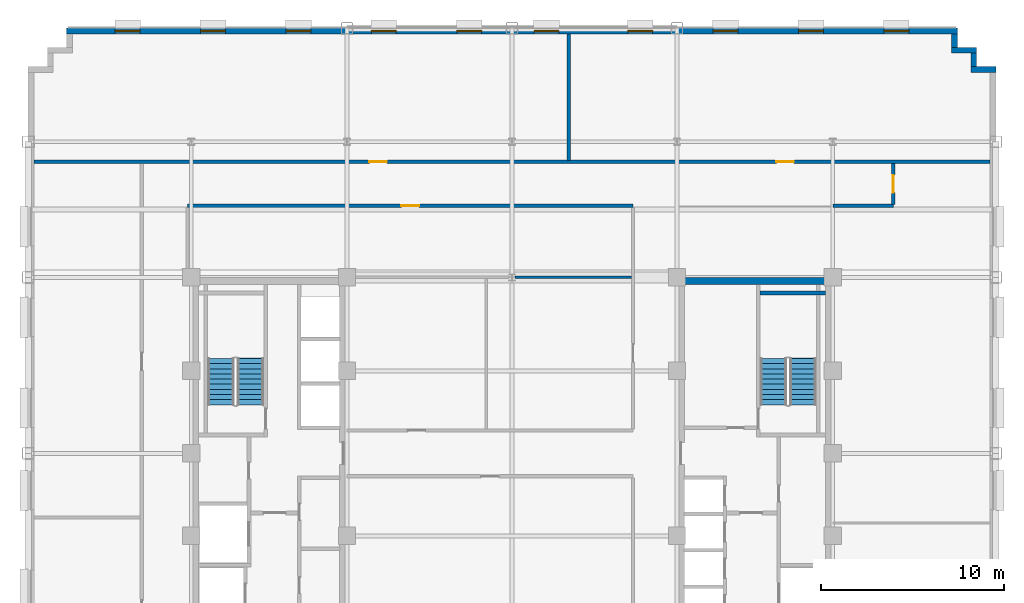
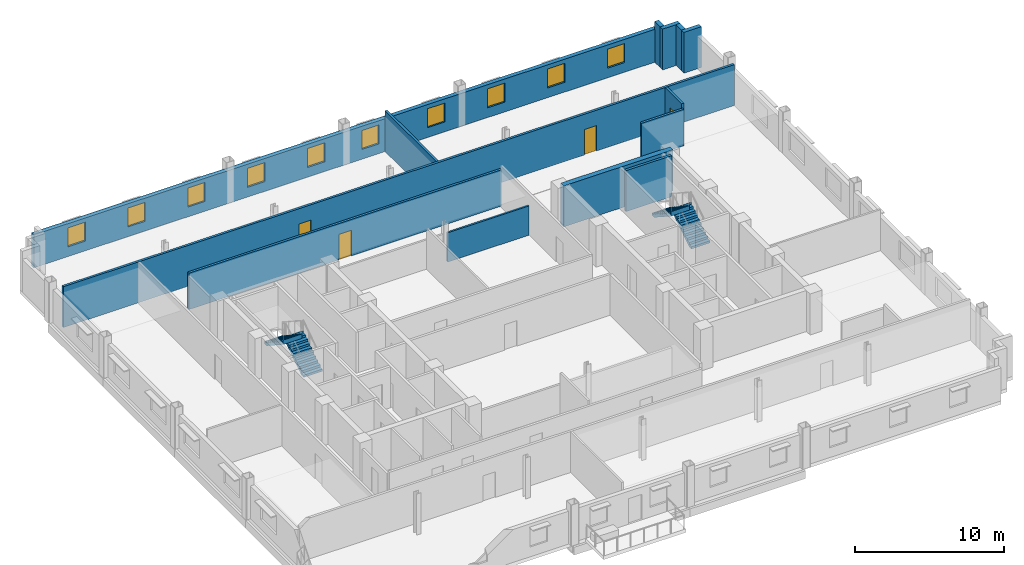
# One storey, part 9 of 14: 13 walls, 10 windows, 4 doors, 4 stair flights, 14 openings, 2 elements without a shape of their own.
"""IFC4 building model written with IfcOpenShell, lengths in metres."""

from ifc_helpers import new_model, si_unit, direction, frame, frame_2d, origin, place, context, subcontext, project, spatial, polyline, rectangle, outline, extrude, source, transform, mapped, material, layer, layer_set, type_object, type_shapes, element, fill, aggregate, save


model = new_model("IFC4")

# Units and contexts
model_context = context("Model", 3, precision=1e-05, world=origin(), true_north=direction((0.0, 1.0)))
body_context = subcontext(model_context, "Body", "Model", "MODEL_VIEW")
ifc_project = project(units=[si_unit("LENGTHUNIT", "METRE"), si_unit("AREAUNIT", "SQUARE_METRE"), si_unit("VOLUMEUNIT", "CUBIC_METRE"), si_unit("PLANEANGLEUNIT", "RADIAN"), si_unit("MASSUNIT", "GRAM", prefix="KILO")], contexts=[model_context])

# Site, building, storey
site_placement = place(None, origin())
site = spatial("IfcSite", under=ifc_project, at=site_placement, CompositionType="ELEMENT")
building_placement = place(site_placement, origin())
building = spatial("IfcBuilding", under=site, at=building_placement, Name="Nuvemarco Arch Tower", CompositionType="ELEMENT")
storey_placement = place(building_placement, frame((0.0, 0.0, 131.14990234375)))
storey = spatial("IfcBuildingStorey", under=building, at=storey_placement, Name="L34", CompositionType="ELEMENT", Elevation=131.14990234375)

# Walls
ifc_material_1 = material(Name="Precast concrete C45/55", Category="concrete")
ifc_layer_1 = layer(ifc_material_1, 0.320068359375, Name="EW-MID-320")
ifc_layer_set_1 = layer_set([ifc_layer_1], Name="Precast concrete C45/55")
wall_type_1 = type_object("IfcWallType", Name="EW-MID-320", PredefinedType="STANDARD", material=ifc_layer_set_1)
wall_1_placement = place(storey_placement, frame((25.030029296875, 20.93994140625, 0.0), z_axis=(0.0, 0.0, 1.0), x_axis=(1.0, 0.0, 0.0)))
element("IfcWall", 1, at=wall_1_placement, inside=storey, type_object=wall_type_1, Name="L34 exterior precast facade wall 7", PredefinedType="STANDARD", context=body_context, shape_type="SweptSolid", body=[
    extrude(rectangle(XDim=1.369873046875, YDim=0.320068359375, at=frame_2d((0.68505859375, 0.0))), origin(), (0.0, 0.0, 1.0), 3.360107421875),
])
wall_2_placement = place(storey_placement, frame((25.18994140625, 21.095947265625, 0.0), z_axis=(0.0, 0.0, 1.0), x_axis=(0.0, 1.0, 0.0)))
element("IfcWall", 2, at=wall_2_placement, inside=storey, type_object=wall_type_1, Name="L34 exterior precast facade wall 8", PredefinedType="STANDARD", context=body_context, shape_type="SweptSolid", body=[
    extrude(rectangle(XDim=0.738037109375, YDim=0.320068359375, at=frame_2d((0.369140625, 0.0))), origin(), (0.0, 0.0, 1.0), 3.360107421875),
])
wall_3_placement = place(storey_placement, frame((23.97998046875, 21.989990234375, 0.0), z_axis=(0.0, 0.0, 1.0), x_axis=(1.0, 0.0, 0.0)))
element("IfcWall", 3, at=wall_3_placement, inside=storey, type_object=wall_type_1, Name="L34 exterior precast facade wall 9", PredefinedType="STANDARD", context=body_context, shape_type="SweptSolid", body=[
    extrude(rectangle(XDim=1.3701171875, YDim=0.320068359375, at=frame_2d((0.68505859375, 0.0))), origin(), (0.0, 0.0, 1.0), 3.360107421875),
])
wall_4_placement = place(storey_placement, frame((24.139892578125, 22.14599609375, 0.0), z_axis=(0.0, 0.0, 1.0), x_axis=(0.0, 1.0, 0.0)))
element("IfcWall", 4, at=wall_4_placement, inside=storey, type_object=wall_type_1, Name="L34 exterior precast facade wall 10", PredefinedType="STANDARD", context=body_context, shape_type="SweptSolid", body=[
    extrude(rectangle(XDim=0.738037109375, YDim=0.320068359375, at=frame_2d((0.369140625, 0.0))), origin(), (0.0, 0.0, 1.0), 3.360107421875),
])

# Wall, openings, windows
wall_5_placement = place(storey_placement, frame((-24.300048828125, 23.0400390625, 0.0), z_axis=(0.0, 0.0, 1.0), x_axis=(1.0, 0.0, 0.0)))
wall_5 = element("IfcWall", 5, at=wall_5_placement, inside=storey, type_object=wall_type_1, Name="L34 exterior precast facade wall 11", PredefinedType="STANDARD", context=body_context, shape_type="SweptSolid", body=[
    extrude(rectangle(XDim=48.60009765625, YDim=0.320068359375, at=frame_2d((24.300048828125, 0.0))), origin(), (0.0, 0.0, 1.0), 2.705078125),
])
opening_1_placement = place(wall_5_placement, frame((2.655029296875, 0.0, 0.800048828125)))
opening_1 = element("IfcOpeningElement", 6, at=opening_1_placement, cuts=wall_5, Name="Opening WN-6", PredefinedType="OPENING", context=body_context, shape_type="SweptSolid", body=[
    extrude(rectangle(XDim=1.35009765625, YDim=1.56005859375, at=frame_2d((0.675048828125, 0.780029296875))), frame((0.0, 0.169921875, 0.0), z_axis=(0.0, -1.0, 0.0), x_axis=(1.0, 0.0, 0.0)), (0.0, 0.0, 1.0), 0.340087890625),
])
opening_2_placement = place(wall_5_placement, frame((7.31494140625, 0.0, 0.800048828125)))
opening_2 = element("IfcOpeningElement", 7, at=opening_2_placement, cuts=wall_5, Name="Opening WN-6", PredefinedType="OPENING", context=body_context, shape_type="SweptSolid", body=[
    extrude(rectangle(XDim=1.35009765625, YDim=1.56005859375, at=frame_2d((0.675048828125, 0.780029296875))), frame((0.0, 0.169921875, 0.0), z_axis=(0.0, -1.0, 0.0), x_axis=(1.0, 0.0, 0.0)), (0.0, 0.0, 1.0), 0.340087890625),
])
opening_3_placement = place(wall_5_placement, frame((11.97509765625, 0.0, 0.800048828125)))
opening_3 = element("IfcOpeningElement", 8, at=opening_3_placement, cuts=wall_5, Name="Opening WN-6", PredefinedType="OPENING", context=body_context, shape_type="SweptSolid", body=[
    extrude(rectangle(XDim=1.35009765625, YDim=1.56005859375, at=frame_2d((0.675048828125, 0.780029296875))), frame((0.0, 0.169921875, 0.0), z_axis=(0.0, -1.0, 0.0), x_axis=(1.0, 0.0, 0.0)), (0.0, 0.0, 1.0), 0.340087890625),
])
opening_4_placement = place(wall_5_placement, frame((16.635009765625, 0.0, 0.800048828125)))
opening_4 = element("IfcOpeningElement", 9, at=opening_4_placement, cuts=wall_5, Name="Opening WN-6", PredefinedType="OPENING", context=body_context, shape_type="SweptSolid", body=[
    extrude(rectangle(XDim=1.35009765625, YDim=1.56005859375, at=frame_2d((0.675048828125, 0.780029296875))), frame((0.0, 0.169921875, 0.0), z_axis=(0.0, -1.0, 0.0), x_axis=(1.0, 0.0, 0.0)), (0.0, 0.0, 1.0), 0.340087890625),
])
opening_5_placement = place(wall_5_placement, frame((21.294921875, 0.0, 0.800048828125)))
opening_5 = element("IfcOpeningElement", 10, at=opening_5_placement, cuts=wall_5, Name="Opening WN-6", PredefinedType="OPENING", context=body_context, shape_type="SweptSolid", body=[
    extrude(rectangle(XDim=1.35009765625, YDim=1.56005859375, at=frame_2d((0.675048828125, 0.780029296875))), frame((0.0, 0.169921875, 0.0), z_axis=(0.0, -1.0, 0.0), x_axis=(1.0, 0.0, 0.0)), (0.0, 0.0, 1.0), 0.340087890625),
])
opening_6_placement = place(wall_5_placement, frame((25.5048828125, 0.0, 0.800048828125)))
opening_6 = element("IfcOpeningElement", 11, at=opening_6_placement, cuts=wall_5, Name="Opening WN-6", PredefinedType="OPENING", context=body_context, shape_type="SweptSolid", body=[
    extrude(rectangle(XDim=1.35009765625, YDim=1.56005859375, at=frame_2d((0.675048828125, 0.780029296875))), frame((0.0, 0.169921875, 0.0), z_axis=(0.0, -1.0, 0.0), x_axis=(1.0, 0.0, 0.0)), (0.0, 0.0, 1.0), 0.340087890625),
])
opening_7_placement = place(wall_5_placement, frame((30.614990234375, 0.0, 0.800048828125)))
opening_7 = element("IfcOpeningElement", 12, at=opening_7_placement, cuts=wall_5, Name="Opening WN-6", PredefinedType="OPENING", context=body_context, shape_type="SweptSolid", body=[
    extrude(rectangle(XDim=1.35009765625, YDim=1.56005859375, at=frame_2d((0.675048828125, 0.780029296875))), frame((0.0, 0.169921875, 0.0), z_axis=(0.0, -1.0, 0.0), x_axis=(1.0, 0.0, 0.0)), (0.0, 0.0, 1.0), 0.340087890625),
])
opening_8_placement = place(wall_5_placement, frame((35.27490234375, 0.0, 0.800048828125)))
opening_8 = element("IfcOpeningElement", 13, at=opening_8_placement, cuts=wall_5, Name="Opening WN-6", PredefinedType="OPENING", context=body_context, shape_type="SweptSolid", body=[
    extrude(rectangle(XDim=1.35009765625, YDim=1.56005859375, at=frame_2d((0.675048828125, 0.780029296875))), frame((0.0, 0.169921875, 0.0), z_axis=(0.0, -1.0, 0.0), x_axis=(1.0, 0.0, 0.0)), (0.0, 0.0, 1.0), 0.340087890625),
])
opening_9_placement = place(wall_5_placement, frame((39.93505859375, 0.0, 0.800048828125)))
opening_9 = element("IfcOpeningElement", 14, at=opening_9_placement, cuts=wall_5, Name="Opening WN-6", PredefinedType="OPENING", context=body_context, shape_type="SweptSolid", body=[
    extrude(rectangle(XDim=1.35009765625, YDim=1.56005859375, at=frame_2d((0.675048828125, 0.780029296875))), frame((0.0, 0.169921875, 0.0), z_axis=(0.0, -1.0, 0.0), x_axis=(1.0, 0.0, 0.0)), (0.0, 0.0, 1.0), 0.340087890625),
])
opening_10_placement = place(wall_5_placement, frame((44.594970703125, 0.0, 0.800048828125)))
opening_10 = element("IfcOpeningElement", 15, at=opening_10_placement, cuts=wall_5, Name="Opening WN-6", PredefinedType="OPENING", context=body_context, shape_type="SweptSolid", body=[
    extrude(rectangle(XDim=1.35009765625, YDim=1.56005859375, at=frame_2d((0.675048828125, 0.780029296875))), frame((0.0, 0.169921875, 0.0), z_axis=(0.0, -1.0, 0.0), x_axis=(1.0, 0.0, 0.0)), (0.0, 0.0, 1.0), 0.340087890625),
])
ifc_material_2 = material(Name="Insulated solar-control glass", Category="glass")
window_type = type_object("IfcWindowType", Name="WN-MID-1350x1560", PartitioningType="SINGLE_PANEL", PredefinedType="WINDOW", material=ifc_material_2)
shared_shape_1 = source(origin(), body_context, "Body", "SweptSolid", [
    extrude(rectangle(XDim=1.35009765625, YDim=1.56005859375, at=frame_2d((0.675048828125, 0.780029296875))), frame((0.0, 0.030029296875, 0.0), z_axis=(0.0, -1.0, 0.0), x_axis=(1.0, 0.0, 0.0)), (0.0, 0.0, 1.0), 0.06005859375),
])
type_shapes(window_type, [shared_shape_1])
window_1_placement = place(opening_1_placement, origin())
window_1 = element("IfcWindow", 16, at=window_1_placement, inside=storey, type_object=window_type, Name="L34 punched facade window 1", OverallHeight=1.56005859375, OverallWidth=1.35009765625, PartitioningType="SINGLE_PANEL", PredefinedType="WINDOW", context=body_context, shape_type="MappedRepresentation", body=[
    mapped(shared_shape_1, transform((0.0, 0.0, 0.0), scale=1.0)),
])
fill(opening_1, window_1)
window_2_placement = place(opening_2_placement, origin())
window_2 = element("IfcWindow", 17, at=window_2_placement, inside=storey, type_object=window_type, Name="L34 punched facade window 2", OverallHeight=1.56005859375, OverallWidth=1.35009765625, PartitioningType="SINGLE_PANEL", PredefinedType="WINDOW", context=body_context, shape_type="MappedRepresentation", body=[
    mapped(shared_shape_1, transform((0.0, 0.0, 0.0), scale=1.0)),
])
fill(opening_2, window_2)
window_3_placement = place(opening_3_placement, origin())
window_3 = element("IfcWindow", 18, at=window_3_placement, inside=storey, type_object=window_type, Name="L34 punched facade window 3", OverallHeight=1.56005859375, OverallWidth=1.35009765625, PartitioningType="SINGLE_PANEL", PredefinedType="WINDOW", context=body_context, shape_type="MappedRepresentation", body=[
    mapped(shared_shape_1, transform((0.0, 0.0, 0.0), scale=1.0)),
])
fill(opening_3, window_3)
window_4_placement = place(opening_4_placement, origin())
window_4 = element("IfcWindow", 19, at=window_4_placement, inside=storey, type_object=window_type, Name="L34 punched facade window 4", OverallHeight=1.56005859375, OverallWidth=1.35009765625, PartitioningType="SINGLE_PANEL", PredefinedType="WINDOW", context=body_context, shape_type="MappedRepresentation", body=[
    mapped(shared_shape_1, transform((0.0, 0.0, 0.0), scale=1.0)),
])
fill(opening_4, window_4)
window_5_placement = place(opening_5_placement, origin())
window_5 = element("IfcWindow", 20, at=window_5_placement, inside=storey, type_object=window_type, Name="L34 punched facade window 5", OverallHeight=1.56005859375, OverallWidth=1.35009765625, PartitioningType="SINGLE_PANEL", PredefinedType="WINDOW", context=body_context, shape_type="MappedRepresentation", body=[
    mapped(shared_shape_1, transform((0.0, 0.0, 0.0), scale=1.0)),
])
fill(opening_5, window_5)
window_6_placement = place(opening_6_placement, origin())
window_6 = element("IfcWindow", 21, at=window_6_placement, inside=storey, type_object=window_type, Name="L34 punched facade window 6", OverallHeight=1.56005859375, OverallWidth=1.35009765625, PartitioningType="SINGLE_PANEL", PredefinedType="WINDOW", context=body_context, shape_type="MappedRepresentation", body=[
    mapped(shared_shape_1, transform((0.0, 0.0, 0.0), scale=1.0)),
])
fill(opening_6, window_6)
window_7_placement = place(opening_7_placement, origin())
window_7 = element("IfcWindow", 22, at=window_7_placement, inside=storey, type_object=window_type, Name="L34 punched facade window 7", OverallHeight=1.56005859375, OverallWidth=1.35009765625, PartitioningType="SINGLE_PANEL", PredefinedType="WINDOW", context=body_context, shape_type="MappedRepresentation", body=[
    mapped(shared_shape_1, transform((0.0, 0.0, 0.0), scale=1.0)),
])
fill(opening_7, window_7)
window_8_placement = place(opening_8_placement, origin())
window_8 = element("IfcWindow", 23, at=window_8_placement, inside=storey, type_object=window_type, Name="L34 punched facade window 8", OverallHeight=1.56005859375, OverallWidth=1.35009765625, PartitioningType="SINGLE_PANEL", PredefinedType="WINDOW", context=body_context, shape_type="MappedRepresentation", body=[
    mapped(shared_shape_1, transform((0.0, 0.0, 0.0), scale=1.0)),
])
fill(opening_8, window_8)
window_9_placement = place(opening_9_placement, origin())
window_9 = element("IfcWindow", 24, at=window_9_placement, inside=storey, type_object=window_type, Name="L34 punched facade window 9", OverallHeight=1.56005859375, OverallWidth=1.35009765625, PartitioningType="SINGLE_PANEL", PredefinedType="WINDOW", context=body_context, shape_type="MappedRepresentation", body=[
    mapped(shared_shape_1, transform((0.0, 0.0, 0.0), scale=1.0)),
])
fill(opening_9, window_9)
window_10_placement = place(opening_10_placement, origin())
window_10 = element("IfcWindow", 25, at=window_10_placement, inside=storey, type_object=window_type, Name="L34 punched facade window 10", OverallHeight=1.56005859375, OverallWidth=1.35009765625, PartitioningType="SINGLE_PANEL", PredefinedType="WINDOW", context=body_context, shape_type="MappedRepresentation", body=[
    mapped(shared_shape_1, transform((0.0, 0.0, 0.0), scale=1.0)),
])
fill(opening_10, window_10)

# Wall
ifc_material_3 = material(Name="Concrete C60/75", Category="concrete")
ifc_layer_2 = layer(ifc_material_3, 0.39990234375, Name="WL-CORE-400")
ifc_layer_set_2 = layer_set([ifc_layer_2], Name="Concrete C60/75")
wall_type_2 = type_object("IfcWallType", Name="WL-CORE-400", PredefinedType="SHEAR", material=ifc_layer_set_2)
wall_6_placement = place(storey_placement, frame((9.0, 9.39990234375, 0.0), z_axis=(0.0, 0.0, 1.0), x_axis=(1.0, 0.0, 0.0)))
element("IfcWall", 26, at=wall_6_placement, inside=storey, type_object=wall_type_2, Name="L34 E-core shear wall N", PredefinedType="SHEAR", context=body_context, shape_type="SweptSolid", body=[
    extrude(rectangle(XDim=8.5, YDim=0.39990234375, at=frame_2d((4.25, 0.0))), origin(), (0.0, 0.0, 1.0), 3.3701171875),
])

# Wall, opening, door
ifc_material_4 = material(Name="Fire-rated gypsum drywall partition")
ifc_layer_3 = layer(ifc_material_4, 0.179931640625, Name="WL-CORR-180")
ifc_layer_set_3 = layer_set([ifc_layer_3], Name="Fire-rated gypsum drywall partition")
wall_type_3 = type_object("IfcWallType", Name="WL-CORR-180", PredefinedType="PARTITIONING", material=ifc_layer_set_3)
wall_7_placement = place(storey_placement, frame((-17.699951171875, 13.5, 0.0), z_axis=(0.0, 0.0, 1.0), x_axis=(1.0, 0.0, 0.0)))
wall_7 = element("IfcWall", 27, at=wall_7_placement, inside=storey, type_object=wall_type_3, Name="L34 interior wall IW-L34-012", PredefinedType="PARTITIONING", context=body_context, shape_type="SweptSolid", body=[
    extrude(rectangle(XDim=24.300048828125, YDim=0.179931640625, at=frame_2d((12.14990234375, 0.0))), origin(), (0.0, 0.0, 1.0), 2.998046875),
])
opening_11_placement = place(wall_7_placement, frame((11.669921875, 0.0, 0.0)))
opening_11 = element("IfcOpeningElement", 28, at=opening_11_placement, cuts=wall_7, Name="Opening FD-5", PredefinedType="OPENING", context=body_context, shape_type="SweptSolid", body=[
    extrude(rectangle(XDim=0.9599609375, YDim=2.10009765625, at=frame_2d((0.47998046875, 1.050048828125))), frame((0.0, 0.099853515625, 0.0), z_axis=(0.0, -1.0, 0.0), x_axis=(1.0, 0.0, 0.0)), (0.0, 0.0, 1.0), 0.199951171875),
])
ifc_material_5 = material(Name="Timber fire door", Category="wood")
door_type = type_object("IfcDoorType", Name="DR-CORR-FD", OperationType="NOTDEFINED", PredefinedType="DOOR", material=ifc_material_5)
shared_shape_2 = source(origin(), body_context, "Body", "SweptSolid", [
    extrude(rectangle(XDim=0.9599609375, YDim=2.10009765625, at=frame_2d((0.47998046875, 1.050048828125))), frame((0.0, 0.02490234375, 0.0), z_axis=(0.0, -1.0, 0.0), x_axis=(1.0, 0.0, 0.0)), (0.0, 0.0, 1.0), 0.050048828125),
])
type_shapes(door_type, [shared_shape_2])
door_1_placement = place(opening_11_placement, origin())
door_1 = element("IfcDoor", 29, at=door_1_placement, inside=storey, type_object=door_type, Name="L34 door DR-L34-IN_N1", OperationType="SINGLE_SWING_RIGHT", OverallHeight=2.10009765625, OverallWidth=0.9599609375, PredefinedType="DOOR", context=body_context, shape_type="MappedRepresentation", body=[
    mapped(shared_shape_2, transform((0.0, 0.0, 0.0), scale=1.0)),
])
fill(opening_11, door_1)

# Wall
wall_8_placement = place(storey_placement, frame((17.5, 13.5, 0.0), z_axis=(0.0, 0.0, 1.0), x_axis=(1.0, 0.0, 0.0)))
element("IfcWall", 30, at=wall_8_placement, inside=storey, type_object=wall_type_3, Name="L34 interior wall IW-L34-013", PredefinedType="PARTITIONING", context=body_context, shape_type="SweptSolid", body=[
    extrude(rectangle(XDim=3.300048828125, YDim=0.179931640625, at=frame_2d((1.64990234375, 0.0))), origin(), (0.0, 0.0, 1.0), 2.998046875),
])

# Wall, openings, doors
wall_9_placement = place(storey_placement, frame((-26.080078125, 15.89990234375, 0.0), z_axis=(0.0, 0.0, 1.0), x_axis=(1.0, 0.0, 0.0)))
wall_9 = element("IfcWall", 31, at=wall_9_placement, inside=storey, type_object=wall_type_3, Name="L34 interior wall IW-L34-014", PredefinedType="PARTITIONING", context=body_context, shape_type="SweptSolid", body=[
    extrude(rectangle(XDim=52.16015625, YDim=0.179931640625, at=frame_2d((26.080078125, 0.0))), origin(), (0.0, 0.0, 1.0), 3.360107421875),
])
opening_12_placement = place(wall_9_placement, frame((18.300048828125, 0.0, 0.0)))
opening_12 = element("IfcOpeningElement", 32, at=opening_12_placement, cuts=wall_9, Name="Opening FD-5", PredefinedType="OPENING", context=body_context, shape_type="SweptSolid", body=[
    extrude(rectangle(XDim=0.9599609375, YDim=2.10009765625, at=frame_2d((0.47998046875, 1.050048828125))), frame((0.0, 0.099853515625, 0.0), z_axis=(0.0, -1.0, 0.0), x_axis=(1.0, 0.0, 0.0)), (0.0, 0.0, 1.0), 0.199951171875),
])
opening_13_placement = place(wall_9_placement, frame((40.5, 0.0, 0.0)))
opening_13 = element("IfcOpeningElement", 33, at=opening_13_placement, cuts=wall_9, Name="Opening FD-5", PredefinedType="OPENING", context=body_context, shape_type="SweptSolid", body=[
    extrude(rectangle(XDim=0.9599609375, YDim=2.10009765625, at=frame_2d((0.47998046875, 1.050048828125))), frame((0.0, 0.099853515625, 0.0), z_axis=(0.0, -1.0, 0.0), x_axis=(1.0, 0.0, 0.0)), (0.0, 0.0, 1.0), 0.199951171875),
])
door_2_placement = place(opening_12_placement, origin())
door_2 = element("IfcDoor", 34, at=door_2_placement, inside=storey, type_object=door_type, Name="L34 door DR-L34-N_1", OperationType="SINGLE_SWING_LEFT", OverallHeight=2.10009765625, OverallWidth=0.9599609375, PredefinedType="DOOR", context=body_context, shape_type="MappedRepresentation", body=[
    mapped(shared_shape_2, transform((0.0, 0.0, 0.0), scale=1.0)),
])
fill(opening_12, door_2)
door_3_placement = place(opening_13_placement, origin())
door_3 = element("IfcDoor", 35, at=door_3_placement, inside=storey, type_object=door_type, Name="L34 door DR-L34-N_2", OperationType="SINGLE_SWING_LEFT", OverallHeight=2.10009765625, OverallWidth=0.9599609375, PredefinedType="DOOR", context=body_context, shape_type="MappedRepresentation", body=[
    mapped(shared_shape_2, transform((0.0, 0.0, 0.0), scale=1.0)),
])
fill(opening_13, door_3)

# Wall
wall_10_placement = place(storey_placement, frame((3.10009765625, 15.986083984375, 0.0), z_axis=(0.0, 0.0, 1.0), x_axis=(0.0, 1.0, 0.0)))
element("IfcWall", 36, at=wall_10_placement, inside=storey, type_object=wall_type_3, Name="L34 interior wall IW-L34-024", PredefinedType="PARTITIONING", context=body_context, shape_type="SweptSolid", body=[
    extrude(rectangle(XDim=6.893798828125, YDim=0.179931640625, at=frame_2d((3.44677734375, 0.0))), origin(), (0.0, 0.0, 1.0), 3.360107421875),
])

# Wall, opening, door
wall_11_placement = place(storey_placement, frame((20.800048828125, 13.5859375, 0.0), z_axis=(0.0, 0.0, 1.0), x_axis=(0.0, 1.0, 0.0)))
wall_11 = element("IfcWall", 37, at=wall_11_placement, inside=storey, type_object=wall_type_3, Name="L34 interior wall IW-L34-028", PredefinedType="PARTITIONING", context=body_context, shape_type="SweptSolid", body=[
    extrude(rectangle(XDim=2.22802734375, YDim=0.179931640625, at=frame_2d((1.114013671875, 0.0))), origin(), (0.0, 0.0, 1.0), 3.360107421875),
])
opening_14_placement = place(wall_11_placement, frame((0.634033203125, 0.0, 0.0)))
opening_14 = element("IfcOpeningElement", 38, at=opening_14_placement, cuts=wall_11, Name="Opening FD-5", PredefinedType="OPENING", context=body_context, shape_type="SweptSolid", body=[
    extrude(rectangle(XDim=0.9599609375, YDim=2.10009765625, at=frame_2d((0.47998046875, 1.050048828125))), frame((0.0, 0.099853515625, 0.0), z_axis=(0.0, -1.0, 0.0), x_axis=(1.0, 0.0, 0.0)), (0.0, 0.0, 1.0), 0.199951171875),
])
door_4_placement = place(opening_14_placement, origin())
door_4 = element("IfcDoor", 39, at=door_4_placement, inside=storey, type_object=door_type, Name="L34 door DR-L34-E_2", OperationType="SINGLE_SWING_LEFT", OverallHeight=2.10009765625, OverallWidth=0.9599609375, PredefinedType="DOOR", context=body_context, shape_type="MappedRepresentation", body=[
    mapped(shared_shape_2, transform((0.0, 0.0, 0.0), scale=1.0)),
])
fill(opening_14, door_4)

# Walls
ifc_material_6 = material(Name="Gypsum plasterboard partition")
ifc_layer_4 = layer(ifc_material_6, 0.139892578125, Name="WL-ROOM-140")
ifc_layer_set_4 = layer_set([ifc_layer_4], Name="Gypsum plasterboard partition")
wall_type_4 = type_object("IfcWallType", Name="WL-ROOM-140", PredefinedType="PARTITIONING", material=ifc_layer_set_4)
wall_12_placement = place(storey_placement, frame((0.176025390625, 9.60009765625, 0.0), z_axis=(0.0, 0.0, 1.0), x_axis=(1.0, 0.0, 0.0)))
element("IfcWall", 40, at=wall_12_placement, inside=storey, type_object=wall_type_4, Name="L34 interior wall IW-L34-011", PredefinedType="PARTITIONING", context=body_context, shape_type="SweptSolid", body=[
    extrude(rectangle(XDim=6.337890625, YDim=0.139892578125, at=frame_2d((3.1689453125, 0.0))), origin(), (0.0, 0.0, 1.0), 2.405029296875),
])
ifc_material_7 = material(Name="Concrete C50/60", Category="concrete")
ifc_layer_5 = layer(ifc_material_7, 0.199951171875, Name="WL-SHAFT-220")
ifc_layer_set_5 = layer_set([ifc_layer_5], Name="Concrete C50/60")
wall_type_5 = type_object("IfcWallType", Name="WL-SHAFT-220", PredefinedType="SHEAR", material=ifc_layer_set_5)
wall_13_placement = place(storey_placement, frame((13.534912109375, 8.75, 0.0), z_axis=(0.0, 0.0, 1.0), x_axis=(1.0, 0.0, 0.0)))
element("IfcWall", 41, at=wall_13_placement, inside=storey, type_object=wall_type_5, Name="L34 structural shaft wall SW-L34-E-ST2N", PredefinedType="SHEAR", context=body_context, shape_type="SweptSolid", body=[
    extrude(rectangle(XDim=3.570068359375, YDim=0.199951171875, at=frame_2d((1.78515625, 0.0))), origin(), (0.0, 0.0, 1.0), 3.3701171875),
])

# Stair, stair flights
stair_type = type_object("IfcStairType", Name="ST-CORE-20R", PredefinedType="HALF_TURN_STAIR", material=ifc_material_1)
stair_1_placement = place(storey_placement, origin())
stair_1 = element("IfcStair", 42, at=stair_1_placement, inside=storey, type_object=stair_type, Name="L34 Protected Exit Stair ST-1", PredefinedType="HALF_TURN_STAIR")
stair_flight_type = type_object("IfcStairFlightType", Name="SF-CORE-20R", PredefinedType="STRAIGHT", material=ifc_material_1)
stair_flight_1_placement = place(storey_placement, frame((-14.264892578125, 2.64990234375, 0.0), z_axis=(0.0, 0.0, 1.0), x_axis=(0.0, 1.0, 0.0)))
stair_flight_1 = element("IfcStairFlight", 43, at=stair_flight_1_placement, type_object=stair_flight_type, Name="ST-20R flight 1", NumberOfRisers=10, NumberOfTreads=9, PredefinedType="STRAIGHT", RiserHeight=0.1825, TreadLength=0.28, context=body_context, shape_type="SweptSolid", body=[
    extrude(outline(polyline([(0.0, 0.0), (0.0, 0.1826171875), (0.280029296875, 0.1826171875), (0.280029296875, 0.364990234375), (0.56005859375, 0.364990234375), (0.56005859375, 0.547607421875), (0.840087890625, 0.547607421875), (0.840087890625, 0.72998046875), (1.1201171875, 0.72998046875), (1.1201171875, 0.91259765625), (1.39990234375, 0.91259765625), (1.39990234375, 1.094970703125), (1.679931640625, 1.094970703125), (1.679931640625, 1.277587890625), (1.9599609375, 1.277587890625), (1.9599609375, 1.4599609375), (2.239990234375, 1.4599609375), (2.239990234375, 1.642578125), (2.52001953125, 1.642578125), (2.52001953125, 1.824951171875), (2.5400390625, 1.824951171875), (2.5400390625, 1.45166015625), (0.312744140625, 0.0), (0.0, 0.0)])), frame((0.0, 0.72509765625, 0.0), z_axis=(0.0, -1.0, 0.0), x_axis=(1.0, 0.0, 0.0)), (0.0, 0.0, 1.0), 1.449951171875),
])
stair_flight_2_placement = place(storey_placement, frame((-15.875, 5.169921875, 1.8251953125), z_axis=(0.0, 0.0, 1.0), x_axis=(0.0, -1.0, 0.0)))
stair_flight_2 = element("IfcStairFlight", 44, at=stair_flight_2_placement, type_object=stair_flight_type, Name="ST-20R flight 2", NumberOfRisers=10, NumberOfTreads=9, PredefinedType="STRAIGHT", RiserHeight=0.1825, TreadLength=0.28, context=body_context, shape_type="SweptSolid", body=[
    extrude(outline(polyline([(0.0, 0.0), (0.0, 0.1826171875), (0.280029296875, 0.1826171875), (0.280029296875, 0.364990234375), (0.56005859375, 0.364990234375), (0.56005859375, 0.547607421875), (0.840087890625, 0.547607421875), (0.840087890625, 0.72998046875), (1.1201171875, 0.72998046875), (1.1201171875, 0.91259765625), (1.39990234375, 0.91259765625), (1.39990234375, 1.094970703125), (1.679931640625, 1.094970703125), (1.679931640625, 1.277587890625), (1.9599609375, 1.277587890625), (1.9599609375, 1.4599609375), (2.239990234375, 1.4599609375), (2.239990234375, 1.642578125), (2.52001953125, 1.642578125), (2.52001953125, 1.824951171875), (2.5400390625, 1.824951171875), (2.5400390625, 1.45166015625), (0.312744140625, 0.0), (0.0, 0.0)])), frame((0.0, 0.72509765625, 0.0), z_axis=(0.0, -1.0, 0.0), x_axis=(1.0, 0.0, 0.0)), (0.0, 0.0, 1.0), 1.449951171875),
])
aggregate(stair_1, [stair_flight_1, stair_flight_2])

stair_2_placement = place(storey_placement, origin())
stair_2 = element("IfcStair", 45, at=stair_2_placement, inside=storey, type_object=stair_type, Name="L34 Protected Exit Stair ST-2", PredefinedType="HALF_TURN_STAIR")
stair_flight_3_placement = place(storey_placement, frame((15.875, 2.64990234375, 0.0), z_axis=(0.0, 0.0, 1.0), x_axis=(0.0, 1.0, 0.0)))
stair_flight_3 = element("IfcStairFlight", 46, at=stair_flight_3_placement, type_object=stair_flight_type, Name="ST-20R flight 1", NumberOfRisers=10, NumberOfTreads=9, PredefinedType="STRAIGHT", RiserHeight=0.1825, TreadLength=0.28, context=body_context, shape_type="SweptSolid", body=[
    extrude(outline(polyline([(0.0, 0.0), (0.0, 0.1826171875), (0.280029296875, 0.1826171875), (0.280029296875, 0.364990234375), (0.56005859375, 0.364990234375), (0.56005859375, 0.547607421875), (0.840087890625, 0.547607421875), (0.840087890625, 0.72998046875), (1.1201171875, 0.72998046875), (1.1201171875, 0.91259765625), (1.39990234375, 0.91259765625), (1.39990234375, 1.094970703125), (1.679931640625, 1.094970703125), (1.679931640625, 1.277587890625), (1.9599609375, 1.277587890625), (1.9599609375, 1.4599609375), (2.239990234375, 1.4599609375), (2.239990234375, 1.642578125), (2.52001953125, 1.642578125), (2.52001953125, 1.824951171875), (2.5400390625, 1.824951171875), (2.5400390625, 1.45166015625), (0.312744140625, 0.0), (0.0, 0.0)])), frame((0.0, 0.72509765625, 0.0), z_axis=(0.0, -1.0, 0.0), x_axis=(1.0, 0.0, 0.0)), (0.0, 0.0, 1.0), 1.449951171875),
])
stair_flight_4_placement = place(storey_placement, frame((14.264892578125, 5.169921875, 1.8251953125), z_axis=(0.0, 0.0, 1.0), x_axis=(0.0, -1.0, 0.0)))
stair_flight_4 = element("IfcStairFlight", 47, at=stair_flight_4_placement, type_object=stair_flight_type, Name="ST-20R flight 2", NumberOfRisers=10, NumberOfTreads=9, PredefinedType="STRAIGHT", RiserHeight=0.1825, TreadLength=0.28, context=body_context, shape_type="SweptSolid", body=[
    extrude(outline(polyline([(0.0, 0.0), (0.0, 0.1826171875), (0.280029296875, 0.1826171875), (0.280029296875, 0.364990234375), (0.56005859375, 0.364990234375), (0.56005859375, 0.547607421875), (0.840087890625, 0.547607421875), (0.840087890625, 0.72998046875), (1.1201171875, 0.72998046875), (1.1201171875, 0.91259765625), (1.39990234375, 0.91259765625), (1.39990234375, 1.094970703125), (1.679931640625, 1.094970703125), (1.679931640625, 1.277587890625), (1.9599609375, 1.277587890625), (1.9599609375, 1.4599609375), (2.239990234375, 1.4599609375), (2.239990234375, 1.642578125), (2.52001953125, 1.642578125), (2.52001953125, 1.824951171875), (2.5400390625, 1.824951171875), (2.5400390625, 1.45166015625), (0.312744140625, 0.0), (0.0, 0.0)])), frame((0.0, 0.72509765625, 0.0), z_axis=(0.0, -1.0, 0.0), x_axis=(1.0, 0.0, 0.0)), (0.0, 0.0, 1.0), 1.449951171875),
])
aggregate(stair_2, [stair_flight_3, stair_flight_4])

save(model, "model.ifc")
